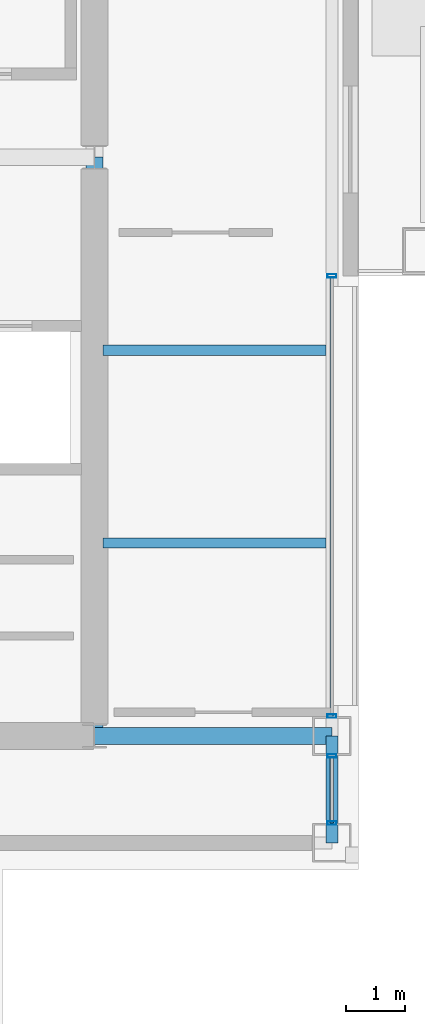
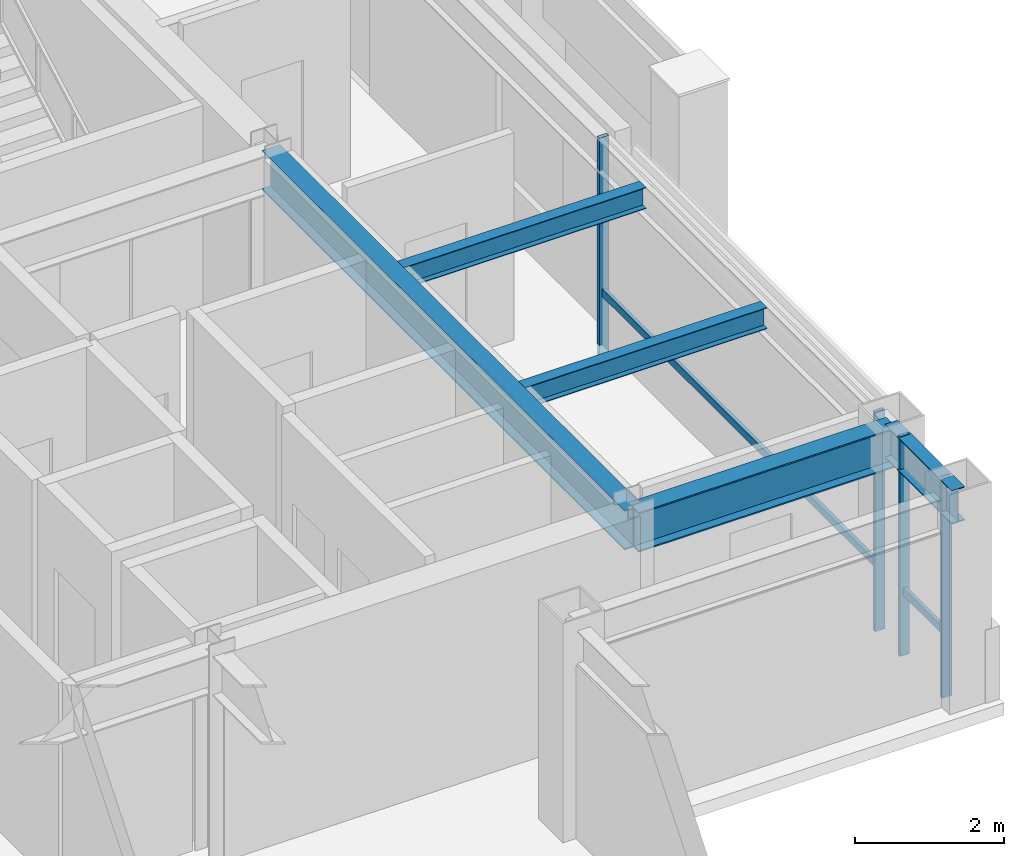
# One storey, part 11 of 24: 6 members, 5 beams, 2 elements without a shape of their own.
"""IFC4 building model written with IfcOpenShell, lengths in metres."""

import ifcopenshell
import ifcopenshell.guid

model = None  # the IFC model being written
_history = None  # IfcOwnerHistory: only IFC2X3 demands one
_inside = {}  # id of a spatial element -> (the spatial element, [elements in it])
_under = {}  # id of a project, library or spatial element -> (it, [spatial elements below it])
_declared = {}  # id of a project -> (the project, [libraries it declares])
_typed = {}  # id of a type object -> (the type object, [elements of that type])
_made_of = {}  # id of a material, layer set ... -> (it, [elements and type objects made of it])


def new_model(schema):
    """Start an empty IFC model of exactly this schema.

    Asked for "IFC4X3", IfcOpenShell would pick the latest addendum, in which some entities
    have other attributes; the version numbers below select the first issue.
    IFC2X3 requires an IfcOwnerHistory on every rooted entity: one is made here for all.
    """
    global model, _history
    if schema == "IFC4X3":
        model = ifcopenshell.file(schema_version=(4, 3, 0, 0))
    else:
        model = ifcopenshell.file(schema=schema)
    _inside.clear()
    _under.clear()
    _declared.clear()
    _typed.clear()
    _made_of.clear()
    _history = None
    if model.schema == "IFC2X3":
        org = make("IfcOrganization", Name="unknown")
        user = make(
            "IfcPersonAndOrganization",
            ThePerson=make("IfcPerson", FamilyName="unknown"),
            TheOrganization=org,
        )
        app = make(
            "IfcApplication",
            ApplicationDeveloper=org,
            Version="unknown",
            ApplicationFullName="unknown",
            ApplicationIdentifier="unknown",
        )
        _history = make(
            "IfcOwnerHistory",
            OwningUser=user,
            OwningApplication=app,
            ChangeAction="ADDED",
            CreationDate=0,
        )
    return model


def make(cls, **values):
    """One entity of the class cls with the attributes given. An attribute that is None is left unset."""
    return model.create_entity(
        cls, **{name: value for name, value in values.items() if value is not None}
    )


def rooted(cls, **values):
    """An entity with a GlobalId (a new one), such as an element, a storey or a relation."""
    return make(cls, GlobalId=ifcopenshell.guid.new(), OwnerHistory=_history, **values)


def si_unit(unit_type, name, prefix=None):
    """IfcSIUnit, for example si_unit("LENGTHUNIT", "METRE", prefix="MILLI")."""
    return make("IfcSIUnit", UnitType=unit_type, Prefix=prefix, Name=name)


def assignment(units):
    """IfcUnitAssignment: the units of a project."""
    return None if units is None else make("IfcUnitAssignment", Units=units)


def point(xyz):
    """IfcCartesianPoint."""
    return None if xyz is None else make("IfcCartesianPoint", Coordinates=xyz)


def direction(xyz):
    """IfcDirection."""
    return None if xyz is None else make("IfcDirection", DirectionRatios=xyz)


def frame(location, z_axis=None, x_axis=None):
    """IfcAxis2Placement3D, a coordinate frame: its origin and axes. An axis left out is left unset."""
    return make(
        "IfcAxis2Placement3D",
        Location=point(location),
        Axis=direction(z_axis),
        RefDirection=direction(x_axis),
    )


def frame_2d(location, x_axis=None):
    """IfcAxis2Placement2D, a coordinate frame in the plane: its origin and x axis."""
    return make(
        "IfcAxis2Placement2D", Location=point(location), RefDirection=direction(x_axis)
    )


def origin():
    """The frame at (0, 0, 0) with its axes left unset."""
    return frame((0.0, 0.0, 0.0))


def origin_2d():
    """The frame at (0, 0) in the plane with its x axis left unset."""
    return frame_2d((0.0, 0.0))


def place(relative_to, where):
    """IfcLocalPlacement: puts the frame where relative to a parent placement (None: the world)."""
    return make(
        "IfcLocalPlacement", PlacementRelTo=relative_to, RelativePlacement=where
    )


def context(
    kind, dimensions, precision=None, world=None, true_north=None, identifier=None
):
    """IfcGeometricRepresentationContext, for example the 3D "Model" context."""
    return make(
        "IfcGeometricRepresentationContext",
        ContextIdentifier=identifier,
        ContextType=kind,
        CoordinateSpaceDimension=dimensions,
        Precision=precision,
        WorldCoordinateSystem=world,
        TrueNorth=true_north,
    )


def subcontext(parent, identifier, kind, view, scale=None):
    """IfcGeometricRepresentationSubContext, for example "Body" below "Model"."""
    return make(
        "IfcGeometricRepresentationSubContext",
        ContextIdentifier=identifier,
        ContextType=kind,
        ParentContext=parent,
        TargetScale=scale,
        TargetView=view,
    )


def project(units=None, contexts=None):
    """IfcProject with its units and contexts."""
    return rooted(
        "IfcProject",
        Name="project",
        RepresentationContexts=contexts,
        UnitsInContext=assignment(units),
    )


def spatial(cls, under=None, at=None, **own):
    """A site, building, storey or space (cls), placed at a placement, below another one or the project."""
    s = rooted(cls, ObjectPlacement=at, **own)
    if under is not None:
        _under.setdefault(under.id(), (under, []))[1].append(s)
    return s


def profile(cls, at=None, kind="AREA", **sizes):
    """A parametric profile (cls). Its sizes go by their IFC names, for example OverallWidth=200.0."""
    return make(cls, ProfileType=kind, Position=at, **sizes)


def hollow_rectangle(**sizes):
    """IfcRectangleHollowProfileDef."""
    return profile("IfcRectangleHollowProfileDef", **sizes)


def i_section(**sizes):
    """IfcIShapeProfileDef."""
    return profile("IfcIShapeProfileDef", **sizes)


def extrude(swept, where, along, depth):
    """IfcExtrudedAreaSolid: the profile swept, set in the frame where, extruded along a direction by depth."""
    return make(
        "IfcExtrudedAreaSolid",
        SweptArea=swept,
        Position=where,
        ExtrudedDirection=direction(along),
        Depth=depth,
    )


def shape(context_of_items, identifier, shape_type, items):
    """IfcShapeRepresentation: the items that make up one representation, for example the "Body"."""
    return make(
        "IfcShapeRepresentation",
        ContextOfItems=context_of_items,
        RepresentationIdentifier=identifier,
        RepresentationType=shape_type,
        Items=items,
    )


def material(Name=None, Category=None):
    """IfcMaterial."""
    return make("IfcMaterial", Name=Name, Category=Category)


def layer(
    of_material, thickness, ventilated=None, Name=None, Category=None, Priority=None
):
    """IfcMaterialLayer: one layer of a wall or slab, of a material (None: an air gap)."""
    return make(
        "IfcMaterialLayer",
        Material=of_material,
        LayerThickness=thickness,
        IsVentilated=ventilated,
        Name=Name,
        Category=Category,
        Priority=Priority,
    )


def layer_set(layers, Name=None):
    """IfcMaterialLayerSet."""
    return make("IfcMaterialLayerSet", MaterialLayers=layers, LayerSetName=Name)


def material_profile(
    of_material, cross_section, Name=None, Category=None, Priority=None
):
    """IfcMaterialProfile: a cross section and its material."""
    return make(
        "IfcMaterialProfile",
        Name=Name,
        Material=of_material,
        Profile=cross_section,
        Priority=Priority,
        Category=Category,
    )


def profile_set(profiles, Name=None, composite=None):
    """IfcMaterialProfileSet."""
    return make(
        "IfcMaterialProfileSet",
        Name=Name,
        MaterialProfiles=profiles,
        CompositeProfile=composite,
    )


def made_of(thing, what):
    """Note that an element or type object is made of a material, layer set ...; save() writes the relation."""
    if what is not None:
        _made_of.setdefault(what.id(), (what, []))[1].append(thing)
    return thing


def type_object(cls, material=None, **own):
    """A type object (cls), such as IfcWallType, which elements share."""
    return made_of(rooted(cls, **own), material)


def element(
    cls,
    number,
    at=None,
    inside=None,
    cuts=None,
    type_object=None,
    material=None,
    context=None,
    identifier="Body",
    shape_type=None,
    held_by="IfcProductDefinitionShape",
    body=None,
    shapes=None,
    **own,
):
    """One element of the class cls, such as IfcWall. Its Tag is "e" and its number.

    at: its placement. inside: the storey or other place that contains it. cuts: it is an
    opening in that element (IfcRelVoidsElement). A single representation is given by context,
    identifier, shape_type and body (its items); several are given by shapes. held_by: the class
    of the entity that holds the representations. save() writes the other relations.
    """
    e = rooted(cls, Tag="e%d" % number, ObjectPlacement=at, **own)
    if body is not None:
        shapes = [shape(context, identifier, shape_type, body)]
    if shapes is not None:
        e.Representation = make(held_by, Representations=shapes)
    if inside is not None:
        _inside.setdefault(inside.id(), (inside, []))[1].append(e)
    if cuts is not None:
        rooted(
            "IfcRelVoidsElement", RelatingBuildingElement=cuts, RelatedOpeningElement=e
        )
    if type_object is not None:
        _typed.setdefault(type_object.id(), (type_object, []))[1].append(e)
    return made_of(e, material)


def aggregate(whole, parts):
    """IfcRelAggregates: a whole, such as a stair, and the parts it consists of."""
    return rooted("IfcRelAggregates", RelatingObject=whole, RelatedObjects=parts)


def save(model, path):
    """Write the relations noted so far, then the file.

    IfcRelAggregates (storeys below a building ...), IfcRelContainedInSpatialStructure (elements
    in a storey), IfcRelDefinesByType, IfcRelAssociatesMaterial and IfcRelDeclares: one each for
    every whole, place, type object, material and project.
    """
    for whole, parts in _under.values():
        aggregate(whole, parts)
    for where, things in _inside.values():
        rooted(
            "IfcRelContainedInSpatialStructure",
            RelatedElements=things,
            RelatingStructure=where,
        )
    for kind, things in _typed.values():
        rooted("IfcRelDefinesByType", RelatedObjects=things, RelatingType=kind)
    for what, things in _made_of.values():
        rooted("IfcRelAssociatesMaterial", RelatedObjects=things, RelatingMaterial=what)
    for by, libraries in _declared.values():
        rooted("IfcRelDeclares", RelatingContext=by, RelatedDefinitions=libraries)
    model.write(path)


model = new_model("IFC4")

# Units and contexts
model_context = context("Model", 3, precision=1e-05, world=origin(), true_north=direction((0.0, 1.0)))
body_context = subcontext(model_context, "Body", "Model", "MODEL_VIEW")
ifc_project = project(units=[si_unit("LENGTHUNIT", "METRE"), si_unit("AREAUNIT", "SQUARE_METRE"), si_unit("VOLUMEUNIT", "CUBIC_METRE"), si_unit("PLANEANGLEUNIT", "RADIAN"), si_unit("MASSUNIT", "GRAM", prefix="KILO")], contexts=[model_context])

# Site, building, storey
site_placement = place(None, origin())
site = spatial("IfcSite", under=ifc_project, at=site_placement, CompositionType="ELEMENT")
building_placement = place(site_placement, origin())
building = spatial("IfcBuilding", under=site, at=building_placement, Name="Brelmoor Portico Tower", CompositionType="ELEMENT")
storey_placement = place(building_placement, frame((0.0, 0.0, 229.199951171875)))
storey = spatial("IfcBuildingStorey", under=building, at=storey_placement, Name="L60", CompositionType="ELEMENT", Elevation=229.199951171875)

# Beams
ifc_material_1 = material(Name="Steel Q355B", Category="steel")
ifc_material_profile_1 = material_profile(ifc_material_1, i_section(OverallWidth=0.175048828125, OverallDepth=0.35009765625, WebThickness=0.007080078125, FlangeThickness=0.010986328125, at=origin_2d()), Name="HN 350x175x7x11")
ifc_profile_set_1 = profile_set([ifc_material_profile_1], Name="Steel Q355B")
beam_type_1 = type_object("IfcBeamType", Name="BM-JS-350", PredefinedType="JOIST", material=ifc_profile_set_1)
for number, where, z_axis, x_axis, name in (
    (1, (14.68994140625, -6.5, 3.22509765625), (1.0, 0.0, 0.0), (0.0, 1.0, 0.0), "L60 Secondary Wing Joist JS-E11"),
    (2, (14.68994140625, -3.25, 3.22509765625), (1.0, 0.0, 0.0), (0.0, 1.0, 0.0), "L60 Secondary Wing Joist JS-E12"),
):
    element("IfcBeam", number, at=place(storey_placement, frame(where, z_axis=z_axis, x_axis=x_axis)), inside=storey, type_object=beam_type_1, Name=name, PredefinedType="JOIST", context=body_context, shape_type="SweptSolid", body=[
        extrude(i_section(OverallWidth=0.175048828125, OverallDepth=0.35009765625, WebThickness=0.007080078125, FlangeThickness=0.010986328125, at=origin_2d()), origin(), (0.0, 0.0, 1.0), 3.760009765625),
    ])
ifc_material_profile_2 = material_profile(ifc_material_1, i_section(OverallWidth=0.280029296875, OverallDepth=0.64990234375, WebThickness=0.012939453125, FlangeThickness=0.02197265625, at=origin_2d()), Name="HN 650x280x13x22")
ifc_profile_set_2 = profile_set([ifc_material_profile_2], Name="Steel Q355B")
beam_type_2 = type_object("IfcBeamType", Name="BM-PG-650", PredefinedType="BEAM", material=ifc_profile_set_2)
beam_1_placement = place(storey_placement, frame((14.550048828125, -9.75, 3.074951171875), z_axis=(0.0, 1.0, 0.0), x_axis=(-1.0, 0.0, 0.0)))
element("IfcBeam", 3, at=beam_1_placement, inside=storey, type_object=beam_type_2, Name="L60 Primary Floor Girder PG-09", PredefinedType="BEAM", context=body_context, shape_type="SweptSolid", body=[
    extrude(i_section(OverallWidth=0.280029296875, OverallDepth=0.64990234375, WebThickness=0.012939453125, FlangeThickness=0.02197265625, at=origin_2d()), origin(), (0.0, 0.0, 1.0), 9.75),
])
beam_2_placement = place(storey_placement, frame((14.550048828125, -9.75, 3.074951171875), z_axis=(1.0, 0.0, 0.0), x_axis=(0.0, 1.0, 0.0)))
element("IfcBeam", 4, at=beam_2_placement, inside=storey, type_object=beam_type_2, Name="L60 Primary Floor Girder PG-15", PredefinedType="BEAM", context=body_context, shape_type="SweptSolid", body=[
    extrude(i_section(OverallWidth=0.280029296875, OverallDepth=0.64990234375, WebThickness=0.012939453125, FlangeThickness=0.02197265625, at=origin_2d()), origin(), (0.0, 0.0, 1.0), 4.0),
])
ifc_material_profile_3 = material_profile(ifc_material_1, i_section(OverallWidth=0.199951171875, OverallDepth=0.550048828125, WebThickness=0.010009765625, FlangeThickness=0.01611328125, at=origin_2d()), Name="HN 550x200x10x16")
ifc_profile_set_3 = profile_set([ifc_material_profile_3], Name="Steel Q355B")
beam_type_3 = type_object("IfcBeamType", Name="BM-SP-550", PredefinedType="SPANDREL", material=ifc_profile_set_3)
beam_3_placement = place(storey_placement, frame((18.550048828125, -11.550048828125, 3.125), z_axis=(0.0, 1.0, 0.0), x_axis=(-1.0, 0.0, 0.0)))
element("IfcBeam", 5, at=beam_3_placement, inside=storey, type_object=beam_type_3, Name="L60 Perimeter Spandrel Beam SP-18", PredefinedType="SPANDREL", context=body_context, shape_type="SweptSolid", body=[
    extrude(i_section(OverallWidth=0.199951171875, OverallDepth=0.550048828125, WebThickness=0.010009765625, FlangeThickness=0.01611328125, at=origin_2d()), origin(), (0.0, 0.0, 1.0), 1.800048828125),
])

# Curtain wall, members
ifc_material_2 = material(Name="Anodised Aluminium Alloy 6063-T6", Category="aluminium")
ifc_layer = layer(ifc_material_2, 0.179931640625)
ifc_layer_set = layer_set([ifc_layer], Name="Anodised Aluminium Alloy 6063-T6")
curtain_wall_type = type_object("IfcCurtainWallType", Name="CW-TOWER-Z4", PredefinedType="NOTDEFINED", material=ifc_layer_set)
curtain_wall_1_placement = place(storey_placement, origin())
curtain_wall_1 = element("IfcCurtainWall", 6, at=curtain_wall_1_placement, inside=storey, type_object=curtain_wall_type, Name="L60 Curtain Wall CW-L60-4L-1", PredefinedType="NOTDEFINED")
ifc_material_profile_4 = material_profile(ifc_material_2, hollow_rectangle(XDim=0.06005859375, YDim=0.14990234375, WallThickness=0.00390625, at=origin_2d()), Name="ALU MULLION 60x150")
ifc_profile_set_4 = profile_set([ifc_material_profile_4], Name="Anodised Aluminium Alloy 6063-T6")
member_type_1 = type_object("IfcMemberType", Name="MB-CW-MULL-150", PredefinedType="MULLION", material=ifc_profile_set_4)
member_1_placement = place(storey_placement, frame((18.550048828125, -11.215087890625, -0.199951171875), z_axis=(0.0, 0.0, 1.0), x_axis=(0.0, 1.0, 0.0)))
member_1 = element("IfcMember", 7, at=member_1_placement, type_object=member_type_1, Name="CW-L60-4L-1 Mullion 00", PredefinedType="MULLION", context=body_context, shape_type="SweptSolid", body=[
    extrude(hollow_rectangle(XDim=0.06005859375, YDim=0.14990234375, WallThickness=0.00390625, at=origin_2d()), origin(), (0.0, 0.0, 1.0), 3.60009765625),
])
member_2_placement = place(storey_placement, frame((18.550048828125, -10.0849609375, -0.199951171875), z_axis=(0.0, 0.0, 1.0), x_axis=(0.0, 1.0, 0.0)))
member_2 = element("IfcMember", 8, at=member_2_placement, type_object=member_type_1, Name="CW-L60-4L-1 Mullion 01", PredefinedType="MULLION", context=body_context, shape_type="SweptSolid", body=[
    extrude(hollow_rectangle(XDim=0.06005859375, YDim=0.14990234375, WallThickness=0.00390625, at=origin_2d()), origin(), (0.0, 0.0, 1.0), 3.60009765625),
])

curtain_wall_2_placement = place(storey_placement, origin())
curtain_wall_2 = element("IfcCurtainWall", 9, at=curtain_wall_2_placement, inside=storey, type_object=curtain_wall_type, Name="L60 Curtain Wall CW-L60-4L-2", PredefinedType="NOTDEFINED")
member_3_placement = place(storey_placement, frame((18.550048828125, -9.4150390625, -0.199951171875), z_axis=(0.0, 0.0, 1.0), x_axis=(0.0, 1.0, 0.0)))
member_3 = element("IfcMember", 10, at=member_3_placement, type_object=member_type_1, Name="CW-L60-4L-2 Mullion 00", PredefinedType="MULLION", context=body_context, shape_type="SweptSolid", body=[
    extrude(hollow_rectangle(XDim=0.06005859375, YDim=0.14990234375, WallThickness=0.00390625, at=origin_2d()), origin(), (0.0, 0.0, 1.0), 3.60009765625),
])
member_4_placement = place(storey_placement, frame((18.550048828125, -2.0, -0.199951171875), z_axis=(0.0, 0.0, 1.0), x_axis=(0.0, 1.0, 0.0)))
member_4 = element("IfcMember", 11, at=member_4_placement, type_object=member_type_1, Name="CW-L60-4L-2 Mullion 01", PredefinedType="MULLION", context=body_context, shape_type="SweptSolid", body=[
    extrude(hollow_rectangle(XDim=0.06005859375, YDim=0.14990234375, WallThickness=0.00390625, at=origin_2d()), origin(), (0.0, 0.0, 1.0), 3.60009765625),
])

# Member
ifc_material_profile_5 = material_profile(ifc_material_2, hollow_rectangle(XDim=0.06005859375, YDim=0.125, WallThickness=0.00341796875, at=origin_2d()), Name="ALU TRANSOM 60x125")
ifc_profile_set_5 = profile_set([ifc_material_profile_5], Name="Anodised Aluminium Alloy 6063-T6")
member_type_2 = type_object("IfcMemberType", Name="MB-CW-TRAN-125", PredefinedType="USERDEFINED", material=ifc_profile_set_5)
member_5_placement = place(storey_placement, frame((18.550048828125, -11.215087890625, 0.85009765625), z_axis=(0.0, 1.0, 0.0), x_axis=(-1.0, 0.0, 0.0)))
member_5 = element("IfcMember", 12, at=member_5_placement, type_object=member_type_2, Name="CW-L60-4L-1 Transom 1-00", ObjectType="TRANSOM", PredefinedType="USERDEFINED", context=body_context, shape_type="SweptSolid", body=[
    extrude(hollow_rectangle(XDim=0.06005859375, YDim=0.125, WallThickness=0.00341796875, at=origin_2d()), origin(), (0.0, 0.0, 1.0), 1.130126953125),
])

aggregate(curtain_wall_1, [member_1, member_2, member_5])

member_6_placement = place(storey_placement, frame((18.550048828125, -9.4150390625, 0.85009765625), z_axis=(0.0, 1.0, 0.0), x_axis=(-1.0, 0.0, 0.0)))
member_6 = element("IfcMember", 13, at=member_6_placement, type_object=member_type_2, Name="CW-L60-4L-2 Transom 1-00", ObjectType="TRANSOM", PredefinedType="USERDEFINED", context=body_context, shape_type="SweptSolid", body=[
    extrude(hollow_rectangle(XDim=0.06005859375, YDim=0.125, WallThickness=0.00341796875, at=origin_2d()), origin(), (0.0, 0.0, 1.0), 7.4150390625),
])

aggregate(curtain_wall_2, [member_3, member_4, member_6])

save(model, "model.ifc")
